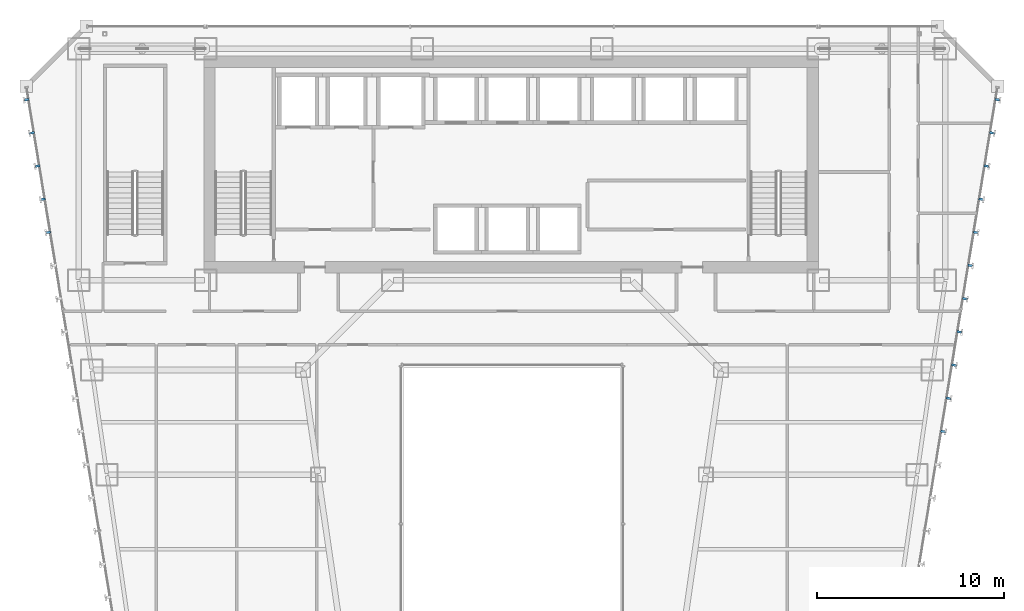
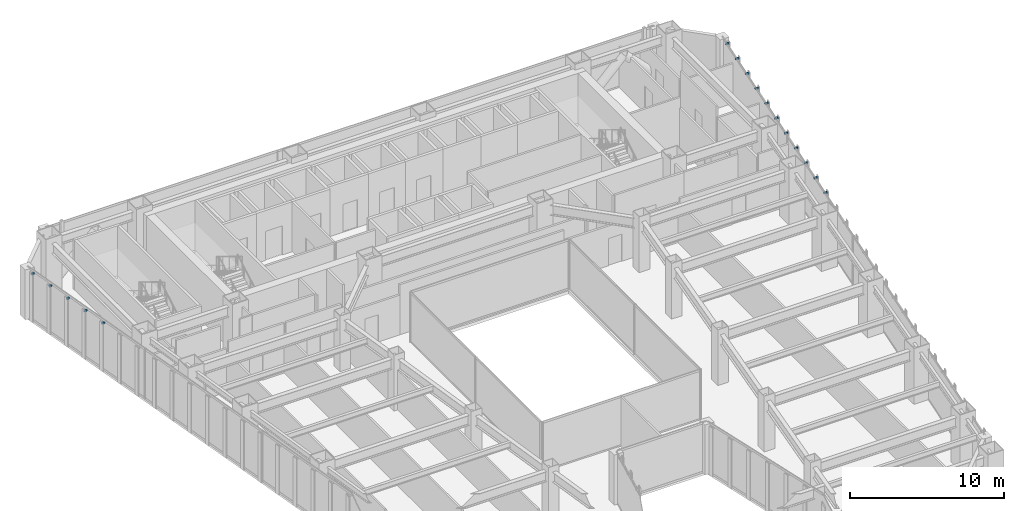
# One storey, part 40 of 47: 16 discrete accessories.
"""IFC4 building model written with IfcOpenShell, lengths in metres."""

from ifc_helpers import new_model, si_unit, direction, frame, origin, origin_2d, place, context, subcontext, project, spatial, rectangle, extrude, material, layer, layer_set, type_object, element, save


model = new_model("IFC4")

# Units and contexts
model_context = context("Model", 3, precision=1e-05, world=origin(), true_north=direction((0.0, 1.0)))
body_context = subcontext(model_context, "Body", "Model", "MODEL_VIEW")
ifc_project = project(units=[si_unit("LENGTHUNIT", "METRE"), si_unit("AREAUNIT", "SQUARE_METRE"), si_unit("VOLUMEUNIT", "CUBIC_METRE"), si_unit("PLANEANGLEUNIT", "RADIAN"), si_unit("MASSUNIT", "GRAM", prefix="KILO")], contexts=[model_context])

# Site, building, storey
site_placement = place(None, origin())
site = spatial("IfcSite", under=ifc_project, at=site_placement, CompositionType="ELEMENT")
building_placement = place(site_placement, origin())
building = spatial("IfcBuilding", under=site, at=building_placement, Name="Saevonmaru Cultural Tower", CompositionType="ELEMENT")
storey_placement = place(building_placement, frame((0.0, 0.0, 82.39990234375)))
storey = spatial("IfcBuildingStorey", under=building, at=storey_placement, Name="L17", CompositionType="ELEMENT", Elevation=82.39990234375)

# Discrete accessories
ifc_material = material(Name="Stainless Steel 316", Category="steel")
ifc_layer = layer(ifc_material, 0.1201171875, Name="Stainless Steel 316")
ifc_layer_set = layer_set([ifc_layer], Name="Stainless Steel 316")
discrete_accessory_type = type_object("IfcDiscreteAccessoryType", Name="ACC-FIN-BRKT", PredefinedType="BRACKET", material=ifc_layer_set)
for number, where, z_axis, x_axis, name in (
    (1, (53.081787109375, 34.31103515625, 3.72998046875), (0.0, 0.0, 1.0), (0.986827496189, -0.161776057456, 0.0), "L17 Bronze Fin Bracket E8-17"),
    (2, (53.372802734375, 36.08740234375, 3.72998046875), (0.0, 0.0, 1.0), (0.986827496189, -0.161776057456, 0.0), "L17 Bronze Fin Bracket E8-18"),
    (3, (53.663818359375, 37.86376953125, 3.72998046875), (0.0, 0.0, 1.0), (0.986827496189, -0.161776057456, 0.0), "L17 Bronze Fin Bracket E8-19"),
    (4, (53.955078125, 39.64013671875, 3.72998046875), (0.0, 0.0, 1.0), (0.986827496189, -0.161776057456, 0.0), "L17 Bronze Fin Bracket E8-20"),
    (5, (54.24609375, 41.41650390625, 3.72998046875), (0.0, 0.0, 1.0), (0.986827496189, -0.161776057456, 0.0), "L17 Bronze Fin Bracket E8-21"),
    (6, (54.537109375, 43.192626953125, 3.72998046875), (0.0, 0.0, 1.0), (0.986827496189, -0.161776057456, 0.0), "L17 Bronze Fin Bracket E8-22"),
    (7, (54.828125, 44.968994140625, 3.72998046875), (0.0, 0.0, 1.0), (0.986827496189, -0.161776057456, 0.0), "L17 Bronze Fin Bracket E8-23"),
    (8, (55.119384765625, 46.745361328125, 3.72998046875), (0.0, 0.0, 1.0), (0.986827496189, -0.161776057456, 0.0), "L17 Bronze Fin Bracket E8-24"),
    (9, (55.410400390625, 48.521484375, 3.72998046875), (0.0, 0.0, 1.0), (0.986827496189, -0.161776057456, 0.0), "L17 Bronze Fin Bracket E8-25"),
    (10, (55.701416015625, 50.2978515625, 3.72998046875), (0.0, 0.0, 1.0), (0.986827496189, -0.161776057456, 0.0), "L17 Bronze Fin Bracket E8-26"),
    (11, (55.992431640625, 52.07421875, 3.72998046875), (0.0, 0.0, 1.0), (0.986827496189, -0.161776057456, 0.0), "L17 Bronze Fin Bracket E8-27"),
    (12, (4.007568359375, 52.07421875, 3.72998046875), (0.0, 0.0, 1.0), (-0.986827496189, -0.161776057456, 0.0), "L17 Bronze Fin Bracket E12-01"),
    (13, (4.298583984375, 50.2978515625, 3.72998046875), (0.0, 0.0, 1.0), (-0.986827496189, -0.161776057456, 0.0), "L17 Bronze Fin Bracket E12-02"),
    (14, (4.589599609375, 48.521484375, 3.72998046875), (0.0, 0.0, 1.0), (-0.986827496189, -0.161776057456, 0.0), "L17 Bronze Fin Bracket E12-03"),
    (15, (4.880615234375, 46.745361328125, 3.72998046875), (0.0, 0.0, 1.0), (-0.986827496189, -0.161776057456, 0.0), "L17 Bronze Fin Bracket E12-04"),
    (16, (5.171875, 44.968994140625, 3.72998046875), (0.0, 0.0, 1.0), (-0.986827496189, -0.161776057456, 0.0), "L17 Bronze Fin Bracket E12-05"),
):
    element("IfcDiscreteAccessory", number, at=place(storey_placement, frame(where, z_axis=z_axis, x_axis=x_axis)), inside=storey, type_object=discrete_accessory_type, Name=name, PredefinedType="BRACKET", context=body_context, shape_type="SweptSolid", body=[
        extrude(rectangle(XDim=0.260009765625, YDim=0.1201171875, at=origin_2d()), origin(), (0.0, 0.0, 1.0), 0.1201171875),
    ])

save(model, "model.ifc")
